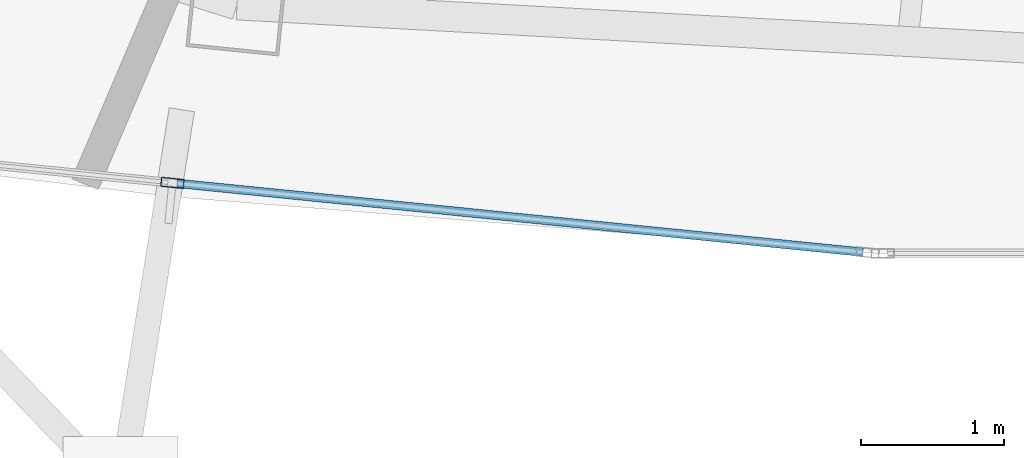
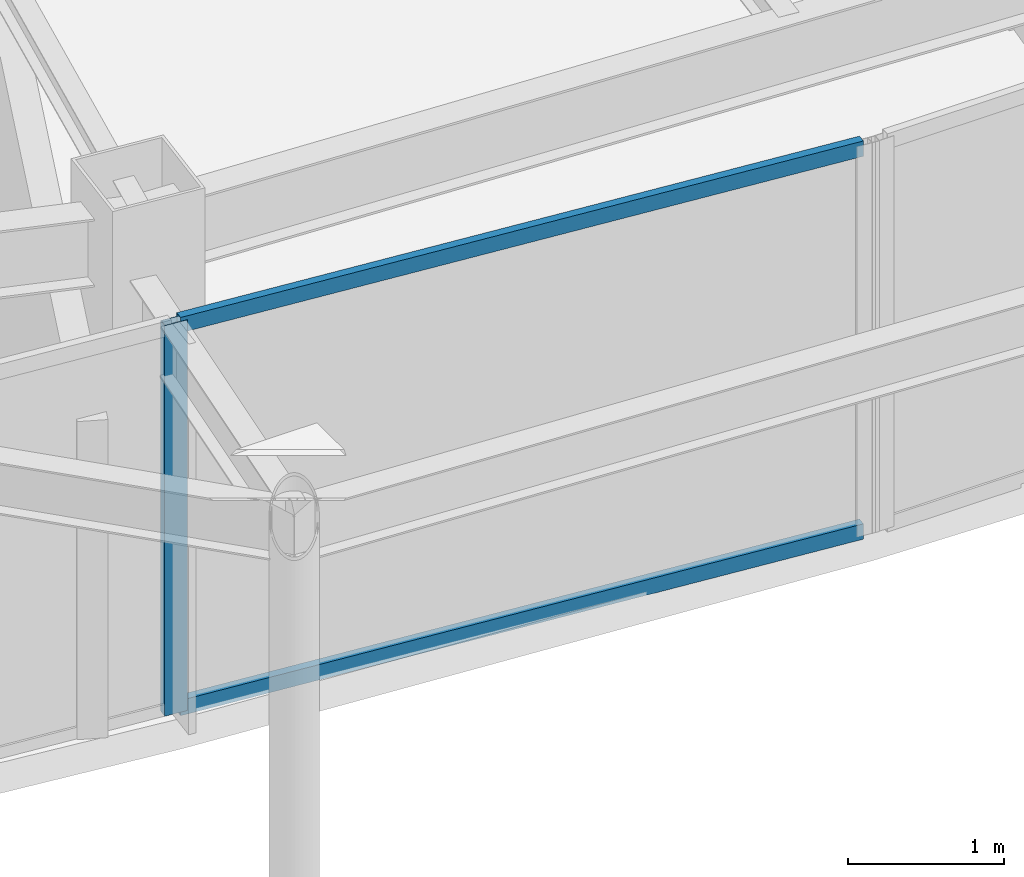
# One storey, part 4 of 28: 3 members, 1 element without a shape of its own.
"""IFC4 building model written with IfcOpenShell, lengths in metres."""

from ifc_helpers import new_model, si_unit, direction, frame, origin, origin_2d, place, context, subcontext, project, spatial, hollow_rectangle, extrude, material, layer, layer_set, material_profile, profile_set, type_object, element, aggregate, save


model = new_model("IFC4")

# Units and contexts
model_context = context("Model", 3, precision=1e-05, world=origin(), true_north=direction((0.0, 1.0)))
body_context = subcontext(model_context, "Body", "Model", "MODEL_VIEW")
ifc_project = project(units=[si_unit("LENGTHUNIT", "METRE"), si_unit("AREAUNIT", "SQUARE_METRE"), si_unit("VOLUMEUNIT", "CUBIC_METRE"), si_unit("PLANEANGLEUNIT", "RADIAN"), si_unit("MASSUNIT", "GRAM", prefix="KILO")], contexts=[model_context])

# Site, building, storey
site_placement = place(None, origin())
site = spatial("IfcSite", under=ifc_project, at=site_placement, CompositionType="ELEMENT")
building_placement = place(site_placement, origin())
building = spatial("IfcBuilding", under=site, at=building_placement, Name="Orvanel Arch Residences", CompositionType="ELEMENT")
storey_placement = place(building_placement, frame((0.0, 0.0, 266.75)))
storey = spatial("IfcBuildingStorey", under=building, at=storey_placement, Name="L76", CompositionType="ELEMENT", Elevation=266.75)

# Curtain wall, members
ifc_material = material(Name="Bronze-anodised aluminium AA6063-T6", Category="aluminium")
ifc_layer = layer(ifc_material, 0.175048828125)
ifc_layer_set = layer_set([ifc_layer], Name="Bronze-anodised aluminium AA6063-T6")
curtain_wall_type = type_object("IfcCurtainWallType", Name="CW4-HI-SYS", PredefinedType="NOTDEFINED", material=ifc_layer_set)
curtain_wall_placement = place(storey_placement, origin())
curtain_wall = element("IfcCurtainWall", 1, at=curtain_wall_placement, inside=storey, type_object=curtain_wall_type, Name="L76 CW4-HI-SYS Unitised Curtain Wall", PredefinedType="NOTDEFINED")
ifc_material_profile_1 = material_profile(ifc_material, hollow_rectangle(XDim=0.06494140625, YDim=0.159912109375, WallThickness=0.00390625, at=origin_2d()), Name="ALU160x65x4")
ifc_profile_set_1 = profile_set([ifc_material_profile_1], Name="Bronze-anodised aluminium AA6063-T6")
member_type_1 = type_object("IfcMemberType", Name="MUL-160x65", PredefinedType="MULLION", material=ifc_profile_set_1)
member_1_placement = place(storey_placement, frame((23.198486328125, 6.113525390625, 0.0), z_axis=(0.0, 0.0, 1.0), x_axis=(0.099796405352, 0.995007878099, 0.0)))
member_1 = element("IfcMember", 2, at=member_1_placement, type_object=member_type_1, Name="CW-S4 mullion 2", PredefinedType="MULLION", context=body_context, shape_type="SweptSolid", body=[
    extrude(hollow_rectangle(XDim=0.06494140625, YDim=0.159912109375, WallThickness=0.00390625, at=origin_2d()), origin(), (0.0, 0.0, 1.0), 3.06005859375),
])
ifc_material_profile_2 = material_profile(ifc_material, hollow_rectangle(XDim=0.06005859375, YDim=0.1201171875, WallThickness=0.00341796875, at=origin_2d()), Name="ALU120x60x3.5")
ifc_profile_set_2 = profile_set([ifc_material_profile_2], Name="Bronze-anodised aluminium AA6063-T6")
member_type_2 = type_object("IfcMemberType", Name="TRN-120x60", PredefinedType="USERDEFINED", material=ifc_profile_set_2)
member_2_placement = place(storey_placement, frame((23.23095703125, 6.1103515625, 0.030029296875), z_axis=(0.995003445039, -0.099840594751, 0.0), x_axis=(0.099840594751, 0.995003445039, 0.0)))
member_2 = element("IfcMember", 3, at=member_2_placement, type_object=member_type_2, Name="CW-S4 transom 2.1", ObjectType="TRANSOM", PredefinedType="USERDEFINED", context=body_context, shape_type="SweptSolid", body=[
    extrude(hollow_rectangle(XDim=0.06005859375, YDim=0.1201171875, WallThickness=0.00341796875, at=origin_2d()), origin(), (0.0, 0.0, 1.0), 4.807373046875),
])
member_3_placement = place(storey_placement, frame((23.23095703125, 6.1103515625, 3.030029296875), z_axis=(0.995003445039, -0.099840594751, 0.0), x_axis=(0.099840594751, 0.995003445039, 0.0)))
member_3 = element("IfcMember", 4, at=member_3_placement, type_object=member_type_2, Name="CW-S4 transom 2.2", ObjectType="TRANSOM", PredefinedType="USERDEFINED", context=body_context, shape_type="SweptSolid", body=[
    extrude(hollow_rectangle(XDim=0.06005859375, YDim=0.1201171875, WallThickness=0.00341796875, at=origin_2d()), origin(), (0.0, 0.0, 1.0), 4.807373046875),
])
aggregate(curtain_wall, [member_1, member_2, member_3])

save(model, "model.ifc")
